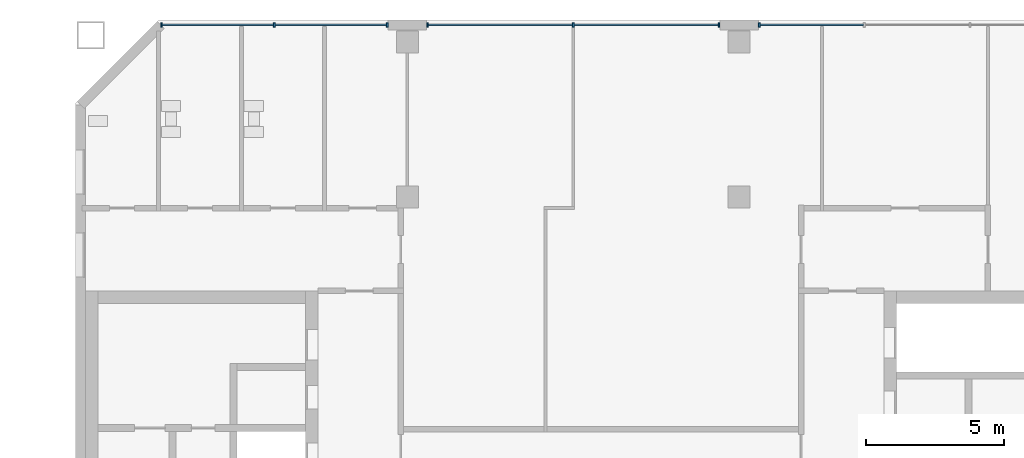
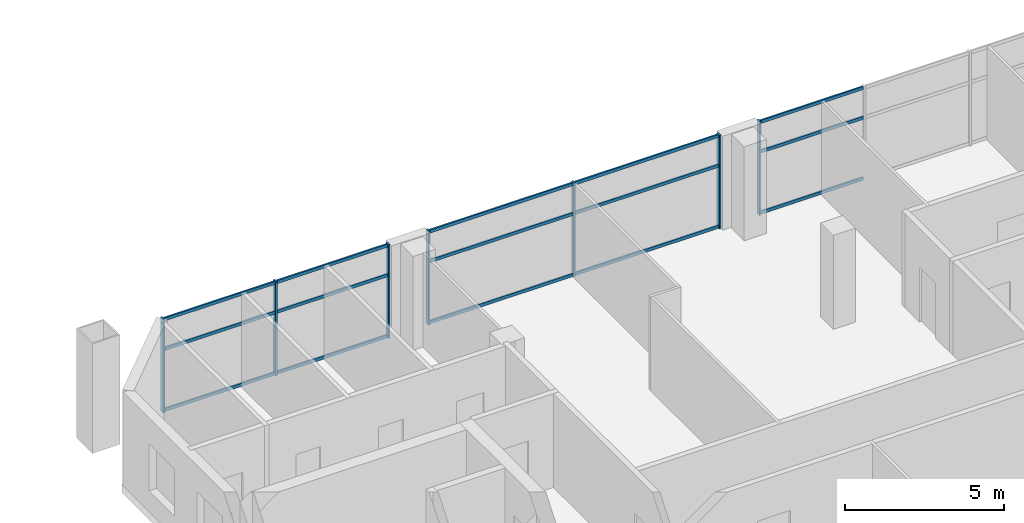
# One storey, part 6 of 19: 22 members, 3 elements without a shape of their own.
"""IFC4 building model written with IfcOpenShell, lengths in metres."""

from ifc_helpers import new_model, si_unit, direction, frame, origin, origin_2d, place, context, subcontext, project, spatial, rectangle, extrude, material, material_profile, profile_set, type_object, element, aggregate, save


model = new_model("IFC4")

# Units and contexts
model_context = context("Model", 3, precision=1e-05, world=origin(), true_north=direction((0.0, 1.0)))
body_context = subcontext(model_context, "Body", "Model", "MODEL_VIEW")
ifc_project = project(units=[si_unit("LENGTHUNIT", "METRE"), si_unit("AREAUNIT", "SQUARE_METRE"), si_unit("VOLUMEUNIT", "CUBIC_METRE"), si_unit("PLANEANGLEUNIT", "RADIAN"), si_unit("MASSUNIT", "GRAM", prefix="KILO")], contexts=[model_context])

# Site, building, storey
site_placement = place(None, origin())
site = spatial("IfcSite", under=ifc_project, at=site_placement, CompositionType="ELEMENT")
building_placement = place(site_placement, origin())
building = spatial("IfcBuilding", under=site, at=building_placement, Name="Tuart Gate Housing", CompositionType="ELEMENT")
storey_placement = place(building_placement, frame((0.0, 0.0, 171.60009765625)))
storey = spatial("IfcBuildingStorey", under=building, at=storey_placement, Name="L48", CompositionType="ELEMENT", Elevation=171.60009765625)

# Curtain wall, member
ifc_material_1 = material(Name="Aluminium and clear glass", Category="aluminium")
curtain_wall_type = type_object("IfcCurtainWallType", Name="Community floor glazing", PredefinedType="USERDEFINED", material=ifc_material_1)
curtain_wall_1_placement = place(storey_placement, origin())
curtain_wall_1 = element("IfcCurtainWall", 1, at=curtain_wall_1_placement, inside=storey, type_object=curtain_wall_type, Name="Community floor glazing B-N L48", ObjectType="COMMUNITY FLOOR GLAZING", PredefinedType="USERDEFINED")
ifc_material_2 = material(Name="Anodised aluminium", Category="aluminium")
ifc_material_profile_1 = material_profile(ifc_material_2, rectangle(XDim=0.06005859375, YDim=0.159912109375, at=origin_2d()), Name="60x160")
ifc_profile_set_1 = profile_set([ifc_material_profile_1], Name="Anodised aluminium")
member_type_1 = type_object("IfcMemberType", Name="Mullion 60 x 160", PredefinedType="MULLION", material=ifc_profile_set_1)
member_1_placement = place(storey_placement, frame((155.72998046875, 85.820068359375, 0.0), z_axis=(0.0, 0.0, 1.0), x_axis=(-1.0, 0.0, 0.0)))
member_1 = element("IfcMember", 2, at=member_1_placement, type_object=member_type_1, Name="CW3 mullion 4", PredefinedType="MULLION", context=body_context, shape_type="SweptSolid", body=[
    extrude(rectangle(XDim=0.06005859375, YDim=0.159912109375, at=origin_2d()), origin(), (0.0, 0.0, 1.0), 3.599853515625),
])

# Curtain wall, members
curtain_wall_2_placement = place(storey_placement, origin())
curtain_wall_2 = element("IfcCurtainWall", 3, at=curtain_wall_2_placement, inside=storey, type_object=curtain_wall_type, Name="Community floor glazing B-N L48", ObjectType="COMMUNITY FLOOR GLAZING", PredefinedType="USERDEFINED")
member_2_placement = place(storey_placement, frame((154.27001953125, 85.820068359375, 0.0), z_axis=(0.0, 0.0, 1.0), x_axis=(-1.0, 0.0, 0.0)))
member_2 = element("IfcMember", 4, at=member_2_placement, type_object=member_type_1, Name="CW3 mullion 1", PredefinedType="MULLION", context=body_context, shape_type="SweptSolid", body=[
    extrude(rectangle(XDim=0.06005859375, YDim=0.159912109375, at=origin_2d()), origin(), (0.0, 0.0, 1.0), 3.599853515625),
])
member_3_placement = place(storey_placement, frame((149.0, 85.820068359375, 0.0), z_axis=(0.0, 0.0, 1.0), x_axis=(-1.0, 0.0, 0.0)))
member_3 = element("IfcMember", 5, at=member_3_placement, type_object=member_type_1, Name="CW3 mullion 2", PredefinedType="MULLION", context=body_context, shape_type="SweptSolid", body=[
    extrude(rectangle(XDim=0.06005859375, YDim=0.159912109375, at=origin_2d()), origin(), (0.0, 0.0, 1.0), 3.599853515625),
])
member_4_placement = place(storey_placement, frame((143.72998046875, 85.820068359375, 0.0), z_axis=(0.0, 0.0, 1.0), x_axis=(-1.0, 0.0, 0.0)))
member_4 = element("IfcMember", 6, at=member_4_placement, type_object=member_type_1, Name="CW3 mullion 3", PredefinedType="MULLION", context=body_context, shape_type="SweptSolid", body=[
    extrude(rectangle(XDim=0.06005859375, YDim=0.159912109375, at=origin_2d()), origin(), (0.0, 0.0, 1.0), 3.599853515625),
])

curtain_wall_3_placement = place(storey_placement, origin())
curtain_wall_3 = element("IfcCurtainWall", 7, at=curtain_wall_3_placement, inside=storey, type_object=curtain_wall_type, Name="Community floor glazing B-N L48", ObjectType="COMMUNITY FLOOR GLAZING", PredefinedType="USERDEFINED")
member_5_placement = place(storey_placement, frame((142.27001953125, 85.820068359375, 0.0), z_axis=(0.0, 0.0, 1.0), x_axis=(-1.0, 0.0, 0.0)))
member_5 = element("IfcMember", 8, at=member_5_placement, type_object=member_type_1, Name="CW3 mullion 1", PredefinedType="MULLION", context=body_context, shape_type="SweptSolid", body=[
    extrude(rectangle(XDim=0.06005859375, YDim=0.159912109375, at=origin_2d()), origin(), (0.0, 0.0, 1.0), 3.599853515625),
])
member_6_placement = place(storey_placement, frame((138.187255859375, 85.820068359375, 0.0), z_axis=(0.0, 0.0, 1.0), x_axis=(-1.0, 0.0, 0.0)))
member_6 = element("IfcMember", 9, at=member_6_placement, type_object=member_type_1, Name="CW3 mullion 2", PredefinedType="MULLION", context=body_context, shape_type="SweptSolid", body=[
    extrude(rectangle(XDim=0.06005859375, YDim=0.159912109375, at=origin_2d()), origin(), (0.0, 0.0, 1.0), 3.599853515625),
])
member_7_placement = place(storey_placement, frame((134.1044921875, 85.820068359375, 0.0), z_axis=(0.0, 0.0, 1.0), x_axis=(-1.0, 0.0, 0.0)))
member_7 = element("IfcMember", 10, at=member_7_placement, type_object=member_type_1, Name="CW3 mullion 3", PredefinedType="MULLION", context=body_context, shape_type="SweptSolid", body=[
    extrude(rectangle(XDim=0.06005859375, YDim=0.159912109375, at=origin_2d()), origin(), (0.0, 0.0, 1.0), 3.599853515625),
])

# Member
ifc_material_3 = material(Name="Anodised aluminium", Category="aluminium")
ifc_material_profile_2 = material_profile(ifc_material_3, rectangle(XDim=0.06005859375, YDim=0.1201171875, at=origin_2d()), Name="60x120")
ifc_profile_set_2 = profile_set([ifc_material_profile_2], Name="Anodised aluminium")
member_type_2 = type_object("IfcMemberType", Name="Transom 60 x 120", PredefinedType="USERDEFINED", material=ifc_profile_set_2)
member_8_placement = place(storey_placement, frame((159.4951171875, 85.820068359375, 0.059814453125), z_axis=(-1.0, 0.0, 0.0), x_axis=(0.0, -1.0, 0.0)))
member_8 = element("IfcMember", 11, at=member_8_placement, type_object=member_type_2, Name="CW3 transom 3.1", ObjectType="TRANSOM", PredefinedType="USERDEFINED", context=body_context, shape_type="SweptSolid", body=[
    extrude(rectangle(XDim=0.06005859375, YDim=0.1201171875, at=origin_2d()), origin(), (0.0, 0.0, 1.0), 3.735107421875),
])

member_9_placement = place(storey_placement, frame((159.4951171875, 85.820068359375, 2.39990234375), z_axis=(-1.0, 0.0, 0.0), x_axis=(0.0, -1.0, 0.0)))
member_9 = element("IfcMember", 12, at=member_9_placement, type_object=member_type_2, Name="CW3 transom 3.2", ObjectType="TRANSOM", PredefinedType="USERDEFINED", context=body_context, shape_type="SweptSolid", body=[
    extrude(rectangle(XDim=0.06005859375, YDim=0.1201171875, at=origin_2d()), origin(), (0.0, 0.0, 1.0), 3.735107421875),
])

member_10_placement = place(storey_placement, frame((159.4951171875, 85.820068359375, 3.539794921875), z_axis=(-1.0, 0.0, 0.0), x_axis=(0.0, -1.0, 0.0)))
member_10 = element("IfcMember", 13, at=member_10_placement, type_object=member_type_2, Name="CW3 transom 3.3", ObjectType="TRANSOM", PredefinedType="USERDEFINED", context=body_context, shape_type="SweptSolid", body=[
    extrude(rectangle(XDim=0.06005859375, YDim=0.1201171875, at=origin_2d()), origin(), (0.0, 0.0, 1.0), 3.735107421875),
])

aggregate(curtain_wall_1, [member_1, member_8, member_9, member_10])

member_11_placement = place(storey_placement, frame((154.239990234375, 85.820068359375, 0.059814453125), z_axis=(-1.0, 0.0, 0.0), x_axis=(0.0, -1.0, 0.0)))
member_11 = element("IfcMember", 14, at=member_11_placement, type_object=member_type_2, Name="CW3 transom 1.1", ObjectType="TRANSOM", PredefinedType="USERDEFINED", context=body_context, shape_type="SweptSolid", body=[
    extrude(rectangle(XDim=0.06005859375, YDim=0.1201171875, at=origin_2d()), origin(), (0.0, 0.0, 1.0), 5.2099609375),
])

member_12_placement = place(storey_placement, frame((154.239990234375, 85.820068359375, 2.39990234375), z_axis=(-1.0, 0.0, 0.0), x_axis=(0.0, -1.0, 0.0)))
member_12 = element("IfcMember", 15, at=member_12_placement, type_object=member_type_2, Name="CW3 transom 1.2", ObjectType="TRANSOM", PredefinedType="USERDEFINED", context=body_context, shape_type="SweptSolid", body=[
    extrude(rectangle(XDim=0.06005859375, YDim=0.1201171875, at=origin_2d()), origin(), (0.0, 0.0, 1.0), 5.2099609375),
])

member_13_placement = place(storey_placement, frame((154.239990234375, 85.820068359375, 3.539794921875), z_axis=(-1.0, 0.0, 0.0), x_axis=(0.0, -1.0, 0.0)))
member_13 = element("IfcMember", 16, at=member_13_placement, type_object=member_type_2, Name="CW3 transom 1.3", ObjectType="TRANSOM", PredefinedType="USERDEFINED", context=body_context, shape_type="SweptSolid", body=[
    extrude(rectangle(XDim=0.06005859375, YDim=0.1201171875, at=origin_2d()), origin(), (0.0, 0.0, 1.0), 5.2099609375),
])

member_14_placement = place(storey_placement, frame((148.969970703125, 85.820068359375, 0.059814453125), z_axis=(-1.0, 0.0, 0.0), x_axis=(0.0, -1.0, 0.0)))
member_14 = element("IfcMember", 17, at=member_14_placement, type_object=member_type_2, Name="CW3 transom 2.1", ObjectType="TRANSOM", PredefinedType="USERDEFINED", context=body_context, shape_type="SweptSolid", body=[
    extrude(rectangle(XDim=0.06005859375, YDim=0.1201171875, at=origin_2d()), origin(), (0.0, 0.0, 1.0), 5.2099609375),
])

member_15_placement = place(storey_placement, frame((148.969970703125, 85.820068359375, 2.39990234375), z_axis=(-1.0, 0.0, 0.0), x_axis=(0.0, -1.0, 0.0)))
member_15 = element("IfcMember", 18, at=member_15_placement, type_object=member_type_2, Name="CW3 transom 2.2", ObjectType="TRANSOM", PredefinedType="USERDEFINED", context=body_context, shape_type="SweptSolid", body=[
    extrude(rectangle(XDim=0.06005859375, YDim=0.1201171875, at=origin_2d()), origin(), (0.0, 0.0, 1.0), 5.2099609375),
])

member_16_placement = place(storey_placement, frame((148.969970703125, 85.820068359375, 3.539794921875), z_axis=(-1.0, 0.0, 0.0), x_axis=(0.0, -1.0, 0.0)))
member_16 = element("IfcMember", 19, at=member_16_placement, type_object=member_type_2, Name="CW3 transom 2.3", ObjectType="TRANSOM", PredefinedType="USERDEFINED", context=body_context, shape_type="SweptSolid", body=[
    extrude(rectangle(XDim=0.06005859375, YDim=0.1201171875, at=origin_2d()), origin(), (0.0, 0.0, 1.0), 5.2099609375),
])

aggregate(curtain_wall_2, [member_2, member_3, member_4, member_11, member_12, member_13, member_14, member_15, member_16])

member_17_placement = place(storey_placement, frame((142.239990234375, 85.820068359375, 0.059814453125), z_axis=(-1.0, 0.0, 0.0), x_axis=(0.0, -1.0, 0.0)))
member_17 = element("IfcMember", 20, at=member_17_placement, type_object=member_type_2, Name="CW3 transom 1.1", ObjectType="TRANSOM", PredefinedType="USERDEFINED", context=body_context, shape_type="SweptSolid", body=[
    extrude(rectangle(XDim=0.06005859375, YDim=0.1201171875, at=origin_2d()), origin(), (0.0, 0.0, 1.0), 4.022705078125),
])

member_18_placement = place(storey_placement, frame((142.239990234375, 85.820068359375, 2.39990234375), z_axis=(-1.0, 0.0, 0.0), x_axis=(0.0, -1.0, 0.0)))
member_18 = element("IfcMember", 21, at=member_18_placement, type_object=member_type_2, Name="CW3 transom 1.2", ObjectType="TRANSOM", PredefinedType="USERDEFINED", context=body_context, shape_type="SweptSolid", body=[
    extrude(rectangle(XDim=0.06005859375, YDim=0.1201171875, at=origin_2d()), origin(), (0.0, 0.0, 1.0), 4.022705078125),
])

member_19_placement = place(storey_placement, frame((142.239990234375, 85.820068359375, 3.539794921875), z_axis=(-1.0, 0.0, 0.0), x_axis=(0.0, -1.0, 0.0)))
member_19 = element("IfcMember", 22, at=member_19_placement, type_object=member_type_2, Name="CW3 transom 1.3", ObjectType="TRANSOM", PredefinedType="USERDEFINED", context=body_context, shape_type="SweptSolid", body=[
    extrude(rectangle(XDim=0.06005859375, YDim=0.1201171875, at=origin_2d()), origin(), (0.0, 0.0, 1.0), 4.022705078125),
])

member_20_placement = place(storey_placement, frame((138.1572265625, 85.820068359375, 0.059814453125), z_axis=(-1.0, 0.0, 0.0), x_axis=(0.0, -1.0, 0.0)))
member_20 = element("IfcMember", 23, at=member_20_placement, type_object=member_type_2, Name="CW3 transom 2.1", ObjectType="TRANSOM", PredefinedType="USERDEFINED", context=body_context, shape_type="SweptSolid", body=[
    extrude(rectangle(XDim=0.06005859375, YDim=0.1201171875, at=origin_2d()), origin(), (0.0, 0.0, 1.0), 4.022705078125),
])

member_21_placement = place(storey_placement, frame((138.1572265625, 85.820068359375, 2.39990234375), z_axis=(-1.0, 0.0, 0.0), x_axis=(0.0, -1.0, 0.0)))
member_21 = element("IfcMember", 24, at=member_21_placement, type_object=member_type_2, Name="CW3 transom 2.2", ObjectType="TRANSOM", PredefinedType="USERDEFINED", context=body_context, shape_type="SweptSolid", body=[
    extrude(rectangle(XDim=0.06005859375, YDim=0.1201171875, at=origin_2d()), origin(), (0.0, 0.0, 1.0), 4.022705078125),
])

member_22_placement = place(storey_placement, frame((138.1572265625, 85.820068359375, 3.539794921875), z_axis=(-1.0, 0.0, 0.0), x_axis=(0.0, -1.0, 0.0)))
member_22 = element("IfcMember", 25, at=member_22_placement, type_object=member_type_2, Name="CW3 transom 2.3", ObjectType="TRANSOM", PredefinedType="USERDEFINED", context=body_context, shape_type="SweptSolid", body=[
    extrude(rectangle(XDim=0.06005859375, YDim=0.1201171875, at=origin_2d()), origin(), (0.0, 0.0, 1.0), 4.022705078125),
])

aggregate(curtain_wall_3, [member_5, member_6, member_7, member_17, member_18, member_19, member_20, member_21, member_22])

save(model, "model.ifc")
